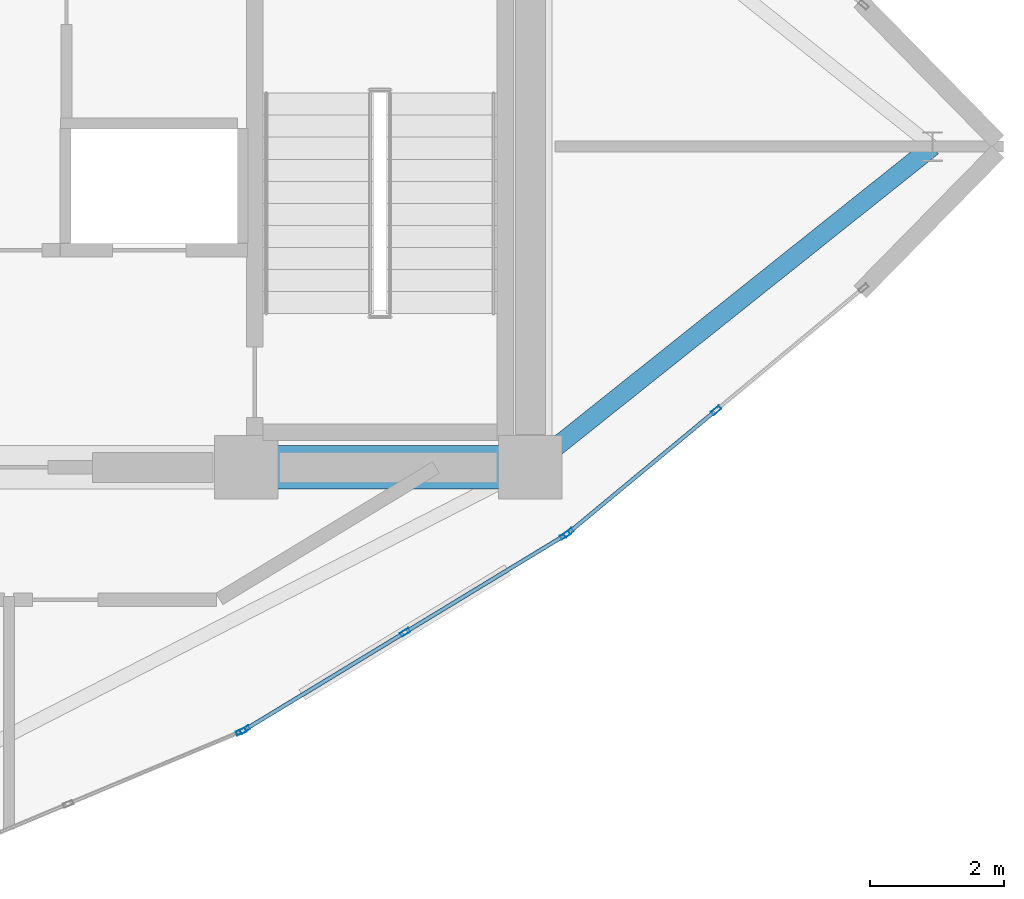
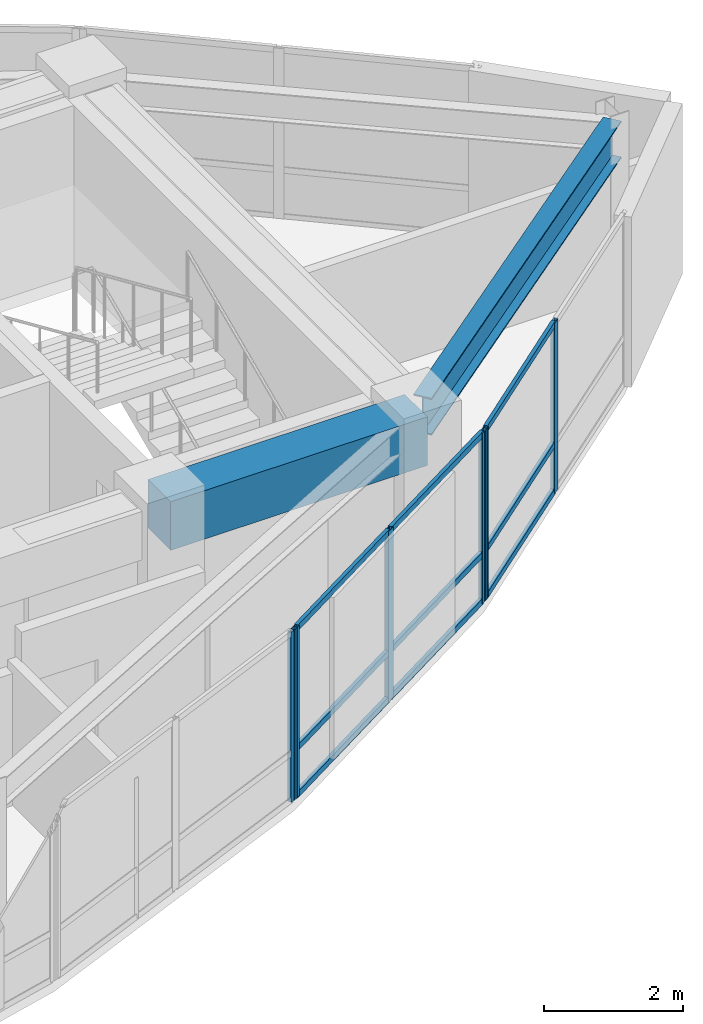
# One storey, part 5 of 14: 15 members, 2 beams, 3 elements without a shape of their own.
"""IFC4 building model written with IfcOpenShell, lengths in metres."""

from ifc_helpers import new_model, si_unit, direction, frame, origin, origin_2d, place, context, subcontext, project, spatial, rectangle, hollow_rectangle, i_section, extrude, material, layer, layer_set, material_profile, profile_set, type_object, element, aggregate, save


model = new_model("IFC4")

# Units and contexts
model_context = context("Model", 3, precision=1e-05, world=origin(), true_north=direction((0.0, 1.0)))
body_context = subcontext(model_context, "Body", "Model", "MODEL_VIEW")
ifc_project = project(units=[si_unit("LENGTHUNIT", "METRE"), si_unit("AREAUNIT", "SQUARE_METRE"), si_unit("VOLUMEUNIT", "CUBIC_METRE"), si_unit("PLANEANGLEUNIT", "RADIAN"), si_unit("MASSUNIT", "GRAM", prefix="KILO")], contexts=[model_context])

# Site, building, storey
site_placement = place(None, origin())
site = spatial("IfcSite", under=ifc_project, at=site_placement, CompositionType="ELEMENT")
building_placement = place(site_placement, origin())
building = spatial("IfcBuilding", under=site, at=building_placement, Name="Menara Vayukalpa", CompositionType="ELEMENT")
storey_placement = place(building_placement, frame((0.0, 0.0, 305.6201171875)))
storey = spatial("IfcBuildingStorey", under=building, at=storey_placement, Name="L78", CompositionType="ELEMENT", Elevation=305.6201171875)

# Beams
ifc_material_1 = material(Name="Concrete C60/75", Category="concrete")
ifc_material_profile_1 = material_profile(ifc_material_1, rectangle(XDim=0.64990234375, YDim=0.85009765625, at=origin_2d()), Name="RC 650x850")
ifc_profile_set_1 = profile_set([ifc_material_profile_1], Name="Concrete C60/75")
beam_type_1 = type_object("IfcBeamType", Name="BM-CB1", PredefinedType="BEAM", material=ifc_profile_set_1)
beam_1_placement = place(storey_placement, frame((29.14990234375, 17.199951171875, 2.554931640625), z_axis=(1.0, 0.0, 0.0), x_axis=(0.0, 1.0, 0.0)))
element("IfcBeam", 1, at=beam_1_placement, inside=storey, type_object=beam_type_1, Name="L78 Core Tie Beam CBR3", PredefinedType="BEAM", context=body_context, shape_type="SweptSolid", body=[
    extrude(rectangle(XDim=0.64990234375, YDim=0.85009765625, at=origin_2d()), origin(), (0.0, 0.0, 1.0), 4.25),
])
ifc_material_2 = material(Name="Steel S355", Category="steel")
ifc_material_profile_2 = material_profile(ifc_material_2, i_section(OverallWidth=0.280029296875, OverallDepth=0.64990234375, WebThickness=0.012939453125, FlangeThickness=0.02197265625, at=origin_2d()), Name="WF 650x280x13x22")
ifc_profile_set_2 = profile_set([ifc_material_profile_2], Name="Steel S355")
beam_type_2 = type_object("IfcBeamType", Name="BM-PG6", PredefinedType="BEAM", material=ifc_profile_set_2)
beam_2_placement = place(storey_placement, frame((33.595458984375, 17.35595703125, 2.65478515625), z_axis=(0.781833603421, 0.623487142258, 0.0), x_axis=(-0.623487142258, 0.781833603421, 0.0)))
element("IfcBeam", 2, at=beam_2_placement, inside=storey, type_object=beam_type_2, Name="L78 Primary Radial Girder RG01", PredefinedType="BEAM", context=body_context, shape_type="SweptSolid", body=[
    extrude(i_section(OverallWidth=0.280029296875, OverallDepth=0.64990234375, WebThickness=0.012939453125, FlangeThickness=0.02197265625, at=origin_2d()), origin(), (0.0, 0.0, 1.0), 7.448486328125),
])

# Curtain wall, member
ifc_material_3 = material(Name="Anodised Terracotta Aluminium Alloy 6063-T6", Category="masonry")
ifc_layer = layer(ifc_material_3, 0.14990234375)
ifc_layer_set = layer_set([ifc_layer], Name="Anodised Terracotta Aluminium Alloy 6063-T6")
curtain_wall_type = type_object("IfcCurtainWallType", Name="CW-CW7", PredefinedType="USERDEFINED", material=ifc_layer_set)
curtain_wall_1_placement = place(storey_placement, origin())
curtain_wall_1 = element("IfcCurtainWall", 3, at=curtain_wall_1_placement, inside=storey, type_object=curtain_wall_type, Name="L78 Crown Drum Screened Curtain Wall CW7 16", ObjectType="UNITISED", PredefinedType="USERDEFINED")
ifc_material_4 = material(Name="Anodised Terracotta Aluminium Alloy 6063-T6", Category="masonry")
ifc_material_profile_3 = material_profile(ifc_material_4, hollow_rectangle(XDim=0.06494140625, YDim=0.14990234375, WallThickness=0.00341796875, at=origin_2d()), Name="ALU 65x150x3.5")
ifc_profile_set_3 = profile_set([ifc_material_profile_3], Name="Anodised Terracotta Aluminium Alloy 6063-T6")
member_type_1 = type_object("IfcMemberType", Name="CWM-CW7", PredefinedType="MULLION", material=ifc_profile_set_3)
member_1_placement = place(storey_placement, frame((29.07177734375, 13.246337890625, 0.0), z_axis=(0.0, 0.0, 1.0), x_axis=(-0.385898361946, 0.922541302191, 0.0)))
member_1 = element("IfcMember", 4, at=member_1_placement, type_object=member_type_1, Name="CW7 mullion 3", PredefinedType="MULLION", context=body_context, shape_type="SweptSolid", body=[
    extrude(hollow_rectangle(XDim=0.06494140625, YDim=0.14990234375, WallThickness=0.00341796875, at=origin_2d()), origin(), (0.0, 0.0, 1.0), 2.97998046875),
])
aggregate(curtain_wall_1, [member_1])

# Curtain wall, members
curtain_wall_2_placement = place(storey_placement, origin())
curtain_wall_2 = element("IfcCurtainWall", 5, at=curtain_wall_2_placement, inside=storey, type_object=curtain_wall_type, Name="L78 Crown Drum Screened Curtain Wall CW7 17", ObjectType="UNITISED", PredefinedType="USERDEFINED")
member_2_placement = place(storey_placement, frame((29.129638671875, 13.27587890625, 0.0), z_axis=(0.0, 0.0, 1.0), x_axis=(-0.519176441176, 0.854667083096, 0.0)))
member_2 = element("IfcMember", 6, at=member_2_placement, type_object=member_type_1, Name="CW7 mullion 1", PredefinedType="MULLION", context=body_context, shape_type="SweptSolid", body=[
    extrude(hollow_rectangle(XDim=0.06494140625, YDim=0.14990234375, WallThickness=0.00341796875, at=origin_2d()), origin(), (0.0, 0.0, 1.0), 2.97998046875),
])
member_3_placement = place(storey_placement, frame((31.525146484375, 14.73095703125, 0.0), z_axis=(0.0, 0.0, 1.0), x_axis=(-0.519176441176, 0.854667083096, 0.0)))
member_3 = element("IfcMember", 7, at=member_3_placement, type_object=member_type_1, Name="CW7 mullion 2", PredefinedType="MULLION", context=body_context, shape_type="SweptSolid", body=[
    extrude(hollow_rectangle(XDim=0.06494140625, YDim=0.14990234375, WallThickness=0.00341796875, at=origin_2d()), origin(), (0.0, 0.0, 1.0), 2.97998046875),
])
member_4_placement = place(storey_placement, frame((33.9208984375, 16.186279296875, 0.0), z_axis=(0.0, 0.0, 1.0), x_axis=(-0.519176441176, 0.854667083096, 0.0)))
member_4 = element("IfcMember", 8, at=member_4_placement, type_object=member_type_1, Name="CW7 mullion 3", PredefinedType="MULLION", context=body_context, shape_type="SweptSolid", body=[
    extrude(hollow_rectangle(XDim=0.06494140625, YDim=0.14990234375, WallThickness=0.00341796875, at=origin_2d()), origin(), (0.0, 0.0, 1.0), 2.97998046875),
])

curtain_wall_3_placement = place(storey_placement, origin())
curtain_wall_3 = element("IfcCurtainWall", 9, at=curtain_wall_3_placement, inside=storey, type_object=curtain_wall_type, Name="L78 Crown Drum Screened Curtain Wall CW7 18", ObjectType="UNITISED", PredefinedType="USERDEFINED")
member_5_placement = place(storey_placement, frame((33.9736328125, 16.223876953125, 0.0), z_axis=(0.0, 0.0, 1.0), x_axis=(-0.63834658997, 0.7697490702, 0.0)))
member_5 = element("IfcMember", 10, at=member_5_placement, type_object=member_type_1, Name="CW7 mullion 1", PredefinedType="MULLION", context=body_context, shape_type="SweptSolid", body=[
    extrude(hollow_rectangle(XDim=0.06494140625, YDim=0.14990234375, WallThickness=0.00341796875, at=origin_2d()), origin(), (0.0, 0.0, 1.0), 2.97998046875),
])
member_6_placement = place(storey_placement, frame((36.1796875, 18.053466796875, 0.0), z_axis=(0.0, 0.0, 1.0), x_axis=(-0.63834658997, 0.7697490702, 0.0)))
member_6 = element("IfcMember", 11, at=member_6_placement, type_object=member_type_1, Name="CW7 mullion 2", PredefinedType="MULLION", context=body_context, shape_type="SweptSolid", body=[
    extrude(hollow_rectangle(XDim=0.06494140625, YDim=0.14990234375, WallThickness=0.00341796875, at=origin_2d()), origin(), (0.0, 0.0, 1.0), 2.97998046875),
])

# Member
ifc_material_5 = material(Name="Anodised Terracotta Aluminium Alloy 6063-T6", Category="masonry")
ifc_material_profile_4 = material_profile(ifc_material_5, hollow_rectangle(XDim=0.06005859375, YDim=0.10498046875, WallThickness=0.0029296875, at=origin_2d()), Name="ALU 60x105x3")
ifc_profile_set_4 = profile_set([ifc_material_profile_4], Name="Anodised Terracotta Aluminium Alloy 6063-T6")
member_type_2 = type_object("IfcMemberType", Name="CWT-CW7", PredefinedType="USERDEFINED", material=ifc_profile_set_4)
member_7_placement = place(storey_placement, frame((29.157470703125, 13.292724609375, 0.02978515625), z_axis=(0.854687194246, 0.519143332801, 0.0), x_axis=(-0.519143332801, 0.854687194246, 0.0)))
member_7 = element("IfcMember", 12, at=member_7_placement, type_object=member_type_2, Name="CW7 transom 1.1", ObjectType="TRANSOM", PredefinedType="USERDEFINED", context=body_context, shape_type="SweptSolid", body=[
    extrude(hollow_rectangle(XDim=0.06005859375, YDim=0.10498046875, WallThickness=0.0029296875, at=origin_2d()), origin(), (0.0, 0.0, 1.0), 2.738037109375),
])

member_8_placement = place(storey_placement, frame((29.157470703125, 13.292724609375, 0.849853515625), z_axis=(0.854687194246, 0.519143332801, 0.0), x_axis=(-0.519143332801, 0.854687194246, 0.0)))
member_8 = element("IfcMember", 13, at=member_8_placement, type_object=member_type_2, Name="CW7 transom 1.2", ObjectType="TRANSOM", PredefinedType="USERDEFINED", context=body_context, shape_type="SweptSolid", body=[
    extrude(hollow_rectangle(XDim=0.06005859375, YDim=0.10498046875, WallThickness=0.0029296875, at=origin_2d()), origin(), (0.0, 0.0, 1.0), 2.738037109375),
])

member_9_placement = place(storey_placement, frame((29.157470703125, 13.292724609375, 2.949951171875), z_axis=(0.854687194246, 0.519143332801, 0.0), x_axis=(-0.519143332801, 0.854687194246, 0.0)))
member_9 = element("IfcMember", 14, at=member_9_placement, type_object=member_type_2, Name="CW7 transom 1.3", ObjectType="TRANSOM", PredefinedType="USERDEFINED", context=body_context, shape_type="SweptSolid", body=[
    extrude(hollow_rectangle(XDim=0.06005859375, YDim=0.10498046875, WallThickness=0.0029296875, at=origin_2d()), origin(), (0.0, 0.0, 1.0), 2.738037109375),
])

member_10_placement = place(storey_placement, frame((31.552978515625, 14.747802734375, 0.02978515625), z_axis=(0.854647628743, 0.519208465537, 0.0), x_axis=(-0.519208465537, 0.854647628743, 0.0)))
member_10 = element("IfcMember", 15, at=member_10_placement, type_object=member_type_2, Name="CW7 transom 2.1", ObjectType="TRANSOM", PredefinedType="USERDEFINED", context=body_context, shape_type="SweptSolid", body=[
    extrude(hollow_rectangle(XDim=0.06005859375, YDim=0.10498046875, WallThickness=0.0029296875, at=origin_2d()), origin(), (0.0, 0.0, 1.0), 2.738037109375),
])

member_11_placement = place(storey_placement, frame((31.552978515625, 14.747802734375, 0.849853515625), z_axis=(0.854647628743, 0.519208465537, 0.0), x_axis=(-0.519208465537, 0.854647628743, 0.0)))
member_11 = element("IfcMember", 16, at=member_11_placement, type_object=member_type_2, Name="CW7 transom 2.2", ObjectType="TRANSOM", PredefinedType="USERDEFINED", context=body_context, shape_type="SweptSolid", body=[
    extrude(hollow_rectangle(XDim=0.06005859375, YDim=0.10498046875, WallThickness=0.0029296875, at=origin_2d()), origin(), (0.0, 0.0, 1.0), 2.738037109375),
])

member_12_placement = place(storey_placement, frame((31.552978515625, 14.747802734375, 2.949951171875), z_axis=(0.854647628743, 0.519208465537, 0.0), x_axis=(-0.519208465537, 0.854647628743, 0.0)))
member_12 = element("IfcMember", 17, at=member_12_placement, type_object=member_type_2, Name="CW7 transom 2.3", ObjectType="TRANSOM", PredefinedType="USERDEFINED", context=body_context, shape_type="SweptSolid", body=[
    extrude(hollow_rectangle(XDim=0.06005859375, YDim=0.10498046875, WallThickness=0.0029296875, at=origin_2d()), origin(), (0.0, 0.0, 1.0), 2.738037109375),
])

aggregate(curtain_wall_2, [member_2, member_3, member_4, member_7, member_8, member_9, member_10, member_11, member_12])

member_13_placement = place(storey_placement, frame((33.998779296875, 16.24462890625, 0.02978515625), z_axis=(0.769726621741, 0.638373658434, 0.0), x_axis=(-0.638373658434, 0.769726621741, 0.0)))
member_13 = element("IfcMember", 18, at=member_13_placement, type_object=member_type_2, Name="CW7 transom 1.1", ObjectType="TRANSOM", PredefinedType="USERDEFINED", context=body_context, shape_type="SweptSolid", body=[
    extrude(hollow_rectangle(XDim=0.06005859375, YDim=0.10498046875, WallThickness=0.0029296875, at=origin_2d()), origin(), (0.0, 0.0, 1.0), 2.801025390625),
])

member_14_placement = place(storey_placement, frame((33.998779296875, 16.24462890625, 0.849853515625), z_axis=(0.769726621741, 0.638373658434, 0.0), x_axis=(-0.638373658434, 0.769726621741, 0.0)))
member_14 = element("IfcMember", 19, at=member_14_placement, type_object=member_type_2, Name="CW7 transom 1.2", ObjectType="TRANSOM", PredefinedType="USERDEFINED", context=body_context, shape_type="SweptSolid", body=[
    extrude(hollow_rectangle(XDim=0.06005859375, YDim=0.10498046875, WallThickness=0.0029296875, at=origin_2d()), origin(), (0.0, 0.0, 1.0), 2.801025390625),
])

member_15_placement = place(storey_placement, frame((33.998779296875, 16.24462890625, 2.949951171875), z_axis=(0.769726621741, 0.638373658434, 0.0), x_axis=(-0.638373658434, 0.769726621741, 0.0)))
member_15 = element("IfcMember", 20, at=member_15_placement, type_object=member_type_2, Name="CW7 transom 1.3", ObjectType="TRANSOM", PredefinedType="USERDEFINED", context=body_context, shape_type="SweptSolid", body=[
    extrude(hollow_rectangle(XDim=0.06005859375, YDim=0.10498046875, WallThickness=0.0029296875, at=origin_2d()), origin(), (0.0, 0.0, 1.0), 2.801025390625),
])

aggregate(curtain_wall_3, [member_5, member_6, member_13, member_14, member_15])

save(model, "model.ifc")
